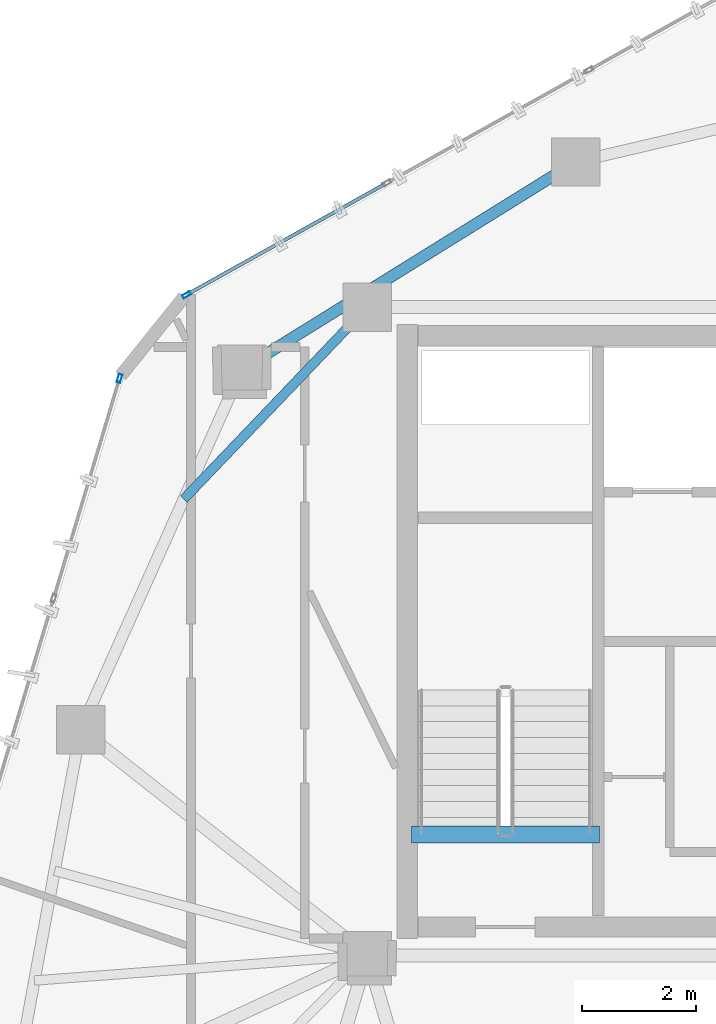
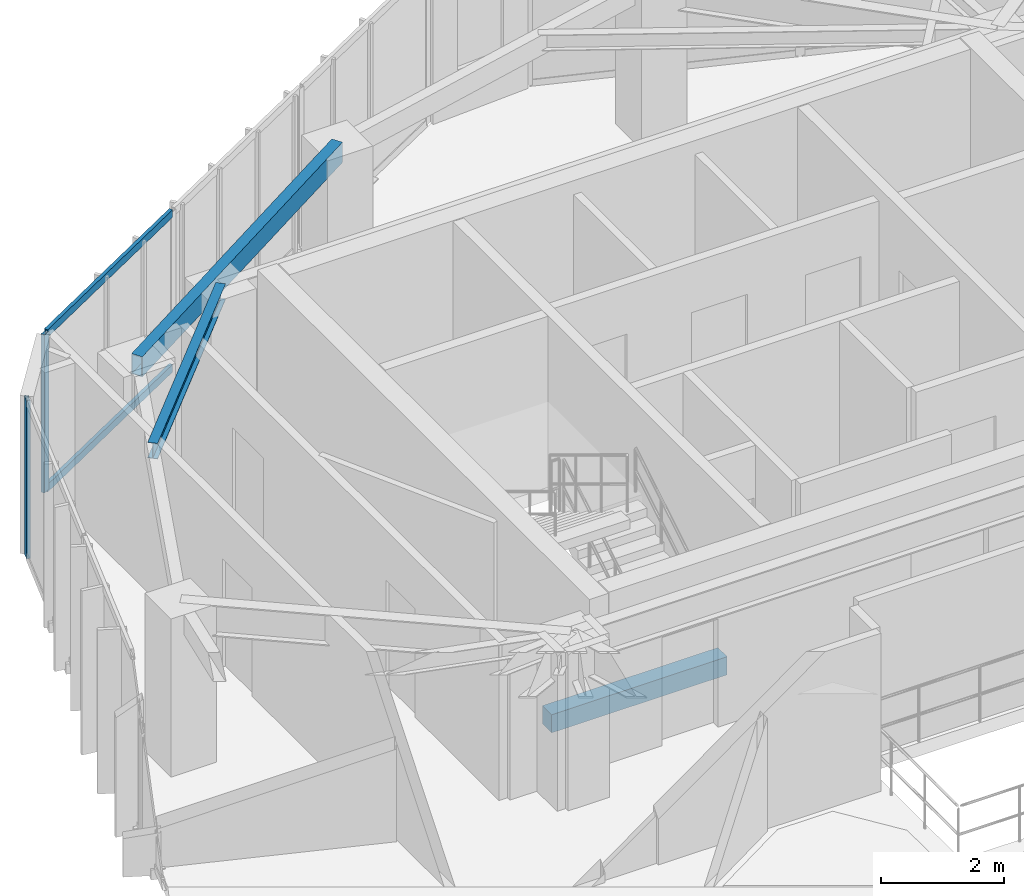
# One storey, part 9 of 20: 4 members, 3 beams, 2 elements without a shape of their own.
"""IFC4 building model written with IfcOpenShell, lengths in metres."""

from ifc_helpers import new_model, si_unit, direction, frame, origin, origin_2d, place, context, subcontext, project, spatial, rectangle, hollow_rectangle, i_section, extrude, source, transform, mapped, material, layer, layer_set, material_profile, profile_set, type_object, type_shapes, element, aggregate, save


model = new_model("IFC4")

# Units and contexts
model_context = context("Model", 3, precision=1e-05, world=origin(), true_north=direction((0.0, 1.0)))
body_context = subcontext(model_context, "Body", "Model", "MODEL_VIEW")
ifc_project = project(units=[si_unit("LENGTHUNIT", "METRE"), si_unit("AREAUNIT", "SQUARE_METRE"), si_unit("VOLUMEUNIT", "CUBIC_METRE"), si_unit("PLANEANGLEUNIT", "RADIAN"), si_unit("MASSUNIT", "GRAM", prefix="KILO")], contexts=[model_context])

# Site, building, storey
site_placement = place(None, origin())
site = spatial("IfcSite", under=ifc_project, at=site_placement, CompositionType="ELEMENT")
building_placement = place(site_placement, origin())
building = spatial("IfcBuilding", under=site, at=building_placement, Name="Talar Marvaseh", CompositionType="ELEMENT")
storey_placement = place(building_placement, frame((0.0, 0.0, 257.800048828125)))
storey = spatial("IfcBuildingStorey", under=building, at=storey_placement, Name="L68", CompositionType="ELEMENT", Elevation=257.800048828125)

# Beams
ifc_material_1 = material(Name="Concrete C40/50", Category="concrete")
ifc_material_profile_1 = material_profile(ifc_material_1, rectangle(XDim=0.300048828125, YDim=0.360107421875, at=origin_2d()), Name="RC300x360")
ifc_profile_set_1 = profile_set([ifc_material_profile_1], Name="Concrete C40/50")
beam_type_1 = type_object("IfcBeamType", Name="Concrete Stair Landing Trimmer Beam RC300x360", PredefinedType="SPANDREL", material=ifc_profile_set_1)
beam_1_placement = place(storey_placement, frame((22.780029296875, 27.6298828125, -0.179931640625), z_axis=(-1.0, 0.0, 0.0), x_axis=(0.0, -1.0, 0.0)))
element("IfcBeam", 1, at=beam_1_placement, inside=storey, type_object=beam_type_1, Name="L68 ST-1 Stair Nosing Trimmer Beam", PredefinedType="SPANDREL", context=body_context, shape_type="SweptSolid", body=[
    extrude(rectangle(XDim=0.300048828125, YDim=0.360107421875, at=origin_2d()), origin(), (0.0, 0.0, 1.0), 3.300048828125),
])
ifc_material_2 = material(Name="Steel S355", Category="steel")
ifc_material_profile_2 = material_profile(ifc_material_2, hollow_rectangle(XDim=0.199951171875, YDim=0.39990234375, WallThickness=0.013916015625, at=origin_2d()), Name="RHS400x200x14")
ifc_profile_set_2 = profile_set([ifc_material_profile_2], Name="Steel S355")
beam_type_2 = type_object("IfcBeamType", Name="Zone 3 Perimeter Spandrel Beam RHS400x200x14", PredefinedType="SPANDREL", material=ifc_profile_set_2)
beam_2_placement = place(storey_placement, frame((16.493896484375, 35.806884765625, 2.93994140625), z_axis=(0.849439811678, 0.527685518407, 0.0), x_axis=(-0.527685518407, 0.849439811678, 0.0)))
element("IfcBeam", 2, at=beam_2_placement, inside=storey, type_object=beam_type_2, Name="L68 Zone 3 Perimeter Spandrel Beam RHS400x200x14", PredefinedType="SPANDREL", context=body_context, shape_type="SweptSolid", body=[
    extrude(hollow_rectangle(XDim=0.199951171875, YDim=0.39990234375, WallThickness=0.013916015625, at=origin_2d()), origin(), (0.0, 0.0, 1.0), 6.91162109375),
])
ifc_material_profile_3 = material_profile(ifc_material_2, i_section(OverallWidth=0.166015625, OverallDepth=0.31298828125, WebThickness=0.006591796875, FlangeThickness=0.01123046875, at=origin_2d()), Name="W310x45")
ifc_profile_set_3 = profile_set([ifc_material_profile_3], Name="Steel S355")
beam_type_3 = type_object("IfcBeamType", Name="Zone 3 Secondary Floor Joist W310x45", PredefinedType="JOIST", material=ifc_profile_set_3)
beam_3_placement = place(storey_placement, frame((15.472900390625, 33.525634765625, 2.9833984375), z_axis=(0.691165656787, 0.722696364235, 0.0), x_axis=(-0.722696364235, 0.691165656787, 0.0)))
element("IfcBeam", 3, at=beam_3_placement, inside=storey, type_object=beam_type_3, Name="L68 Zone 3 Secondary Floor Joist W310x45", PredefinedType="JOIST", context=body_context, shape_type="SweptSolid", body=[
    extrude(i_section(OverallWidth=0.166015625, OverallDepth=0.31298828125, WebThickness=0.006591796875, FlangeThickness=0.01123046875, at=origin_2d()), origin(), (0.0, 0.0, 1.0), 4.6689453125),
])

# Curtain wall, member
ifc_material_3 = material(Name="Architectural Aluminium", Category="aluminium")
ifc_layer = layer(ifc_material_3, 0.179931640625)
ifc_layer_set = layer_set([ifc_layer], Name="Architectural Aluminium")
curtain_wall_type = type_object("IfcCurtainWallType", Name="Unitised High-Wind Sky Curtain Wall Z4", PredefinedType="NOTDEFINED", material=ifc_layer_set)
curtain_wall_1_placement = place(storey_placement, origin())
curtain_wall_1 = element("IfcCurtainWall", 4, at=curtain_wall_1_placement, inside=storey, type_object=curtain_wall_type, Name="L68 Unitised High-Wind Sky Curtain Wall Z4", PredefinedType="NOTDEFINED")
ifc_material_profile_4 = material_profile(ifc_material_3, hollow_rectangle(XDim=0.06494140625, YDim=0.14990234375, WallThickness=0.00390625, at=origin_2d()), Name="RHS150x65x4")
ifc_profile_set_4 = profile_set([ifc_material_profile_4], Name="Architectural Aluminium")
member_type_1 = type_object("IfcMemberType", Name="Unitised Curtain Wall Slim Mullion RHS150x65x4", PredefinedType="MULLION", material=ifc_profile_set_4)
shared_shape_1 = source(origin(), body_context, "Body", "SweptSolid", [
    extrude(hollow_rectangle(XDim=0.06494140625, YDim=0.14990234375, WallThickness=0.00390625, at=origin_2d()), origin(), (0.0, 0.0, 1.0), 3.139892578125),
])
type_shapes(member_type_1, [shared_shape_1])
member_1_placement = place(storey_placement, frame((14.343017578125, 35.646484375, 0.0), z_axis=(0.0, 0.0, 1.0), x_axis=(-0.957911702193, 0.287063008418, 0.0)))
member_1 = element("IfcMember", 5, at=member_1_placement, type_object=member_type_1, Name="CW-Z4 mullion 4", PredefinedType="MULLION", context=body_context, shape_type="MappedRepresentation", body=[
    mapped(shared_shape_1, transform((0.0, 0.0, 0.0), x_axis=(1.0, 0.0, 0.0), y_axis=(0.0, 1.0, 0.0), z_axis=(0.0, 0.0, 1.0), scale=1.0)),
])
aggregate(curtain_wall_1, [member_1])

# Curtain wall, members
curtain_wall_2_placement = place(storey_placement, origin())
curtain_wall_2 = element("IfcCurtainWall", 6, at=curtain_wall_2_placement, inside=storey, type_object=curtain_wall_type, Name="L68 Unitised High-Wind Sky Curtain Wall Z4", PredefinedType="NOTDEFINED")
member_2_placement = place(storey_placement, frame((15.5234375, 37.117431640625, 0.0), z_axis=(0.0, 0.0, 1.0), x_axis=(-0.487589427747, 0.873073049607, 0.0)))
member_2 = element("IfcMember", 7, at=member_2_placement, type_object=member_type_1, Name="CW-Z4 mullion 1", PredefinedType="MULLION", context=body_context, shape_type="MappedRepresentation", body=[
    mapped(shared_shape_1, transform((0.0, 0.0, 0.0), x_axis=(1.0, 0.0, 0.0), y_axis=(0.0, 1.0, 0.0), z_axis=(0.0, 0.0, 1.0), scale=1.0)),
])
ifc_material_profile_5 = material_profile(ifc_material_3, hollow_rectangle(XDim=0.06494140625, YDim=0.14990234375, WallThickness=0.00390625, at=origin_2d()), Name="RHS150x65x4")
ifc_profile_set_5 = profile_set([ifc_material_profile_5], Name="Architectural Aluminium")
member_type_2 = type_object("IfcMemberType", Name="Unitised Curtain Wall Slim Transom RHS150x65x4", PredefinedType="USERDEFINED", material=ifc_profile_set_5)
shared_shape_2 = source(origin(), body_context, "Body", "SweptSolid", [
    extrude(hollow_rectangle(XDim=0.06494140625, YDim=0.14990234375, WallThickness=0.00390625, at=origin_2d()), origin(), (0.0, 0.0, 1.0), 3.97119140625),
])
type_shapes(member_type_2, [shared_shape_2])
member_3_placement = place(storey_placement, frame((15.5517578125, 37.13330078125, 0.032470703125), z_axis=(0.873085120225, 0.487567813583, 0.0), x_axis=(-0.487567813583, 0.873085120225, 0.0)))
member_3 = element("IfcMember", 8, at=member_3_placement, type_object=member_type_2, Name="CW-Z4 transom 1.1", ObjectType="TRANSOM", PredefinedType="USERDEFINED", context=body_context, shape_type="MappedRepresentation", body=[
    mapped(shared_shape_2, transform((0.0, 0.0, 0.0), x_axis=(1.0, 0.0, 0.0), y_axis=(0.0, 1.0, 0.0), z_axis=(0.0, 0.0, 1.0), scale=1.0)),
])
member_4_placement = place(storey_placement, frame((15.5517578125, 37.13330078125, 3.107421875), z_axis=(0.873085120225, 0.487567813583, 0.0), x_axis=(-0.487567813583, 0.873085120225, 0.0)))
member_4 = element("IfcMember", 9, at=member_4_placement, type_object=member_type_2, Name="CW-Z4 transom 1.2", ObjectType="TRANSOM", PredefinedType="USERDEFINED", context=body_context, shape_type="MappedRepresentation", body=[
    mapped(shared_shape_2, transform((0.0, 0.0, 0.0), x_axis=(1.0, 0.0, 0.0), y_axis=(0.0, 1.0, 0.0), z_axis=(0.0, 0.0, 1.0), scale=1.0)),
])
aggregate(curtain_wall_2, [member_2, member_3, member_4])

save(model, "model.ifc")
